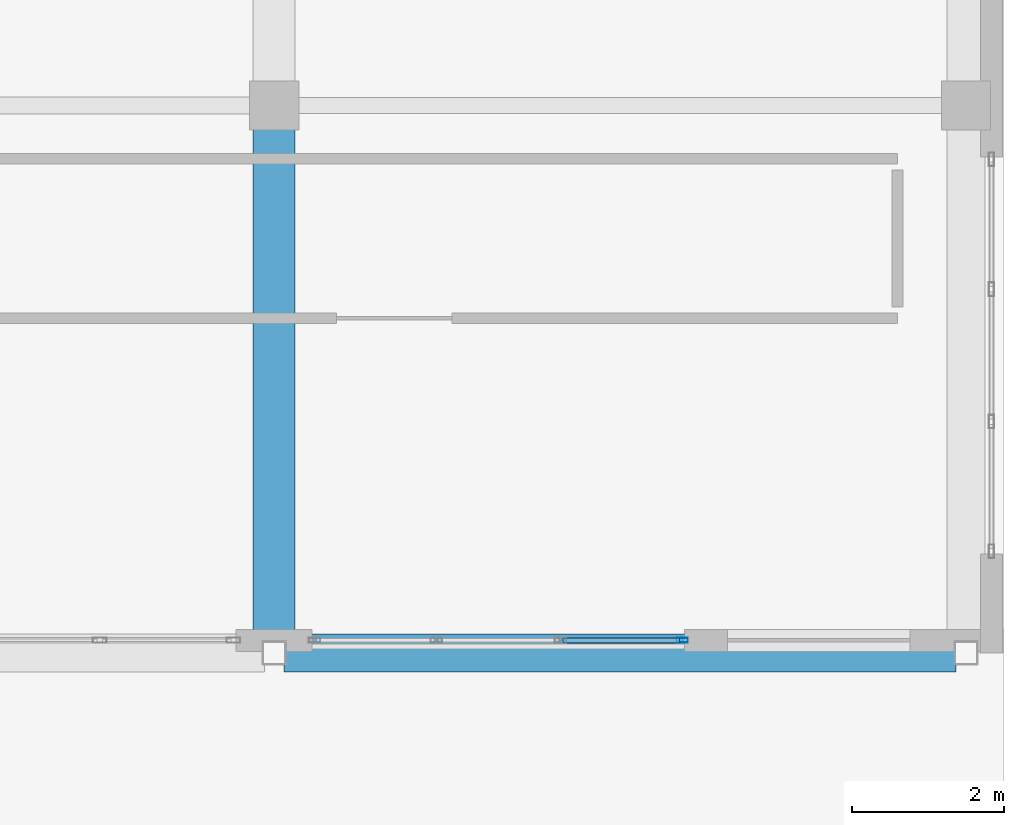
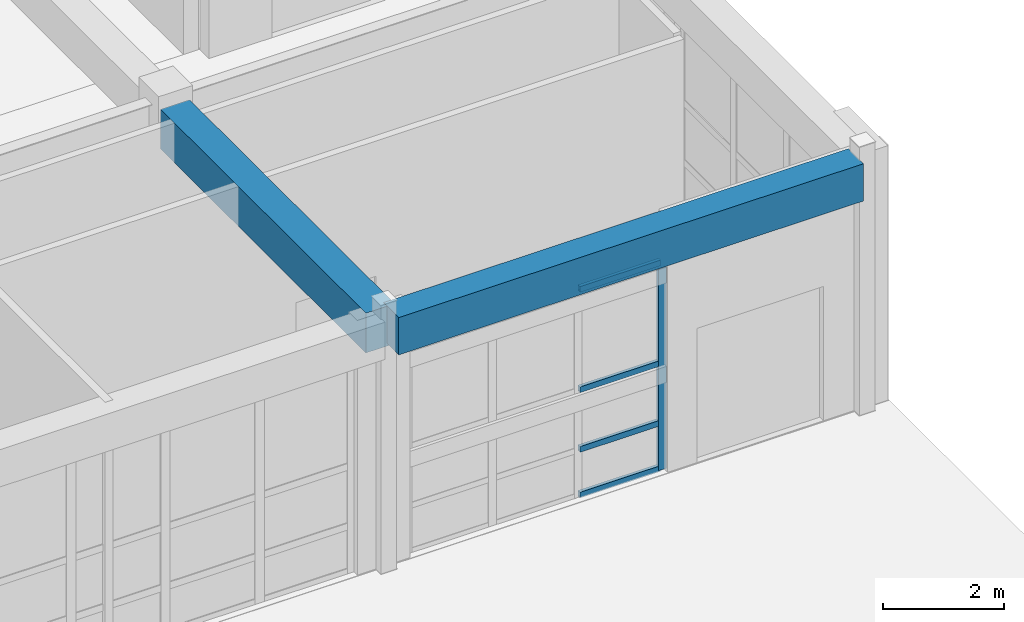
# One storey, part 99 of 148: 5 members, 2 beams, 1 element without a shape of its own.
"""IFC4 building model written with IfcOpenShell, lengths in metres."""

from ifc_helpers import new_model, si_unit, direction, frame, origin, origin_2d, place, context, subcontext, project, spatial, rectangle, hollow_rectangle, extrude, material, layer, layer_set, material_profile, profile_set, type_object, element, aggregate, save


model = new_model("IFC4")

# Units and contexts
model_context = context("Model", 3, precision=1e-05, world=origin(), true_north=direction((0.0, 1.0)))
body_context = subcontext(model_context, "Body", "Model", "MODEL_VIEW")
ifc_project = project(units=[si_unit("LENGTHUNIT", "METRE"), si_unit("AREAUNIT", "SQUARE_METRE"), si_unit("VOLUMEUNIT", "CUBIC_METRE"), si_unit("PLANEANGLEUNIT", "RADIAN"), si_unit("MASSUNIT", "GRAM", prefix="KILO")], contexts=[model_context])

# Site, building, storey
site_placement = place(None, origin())
site = spatial("IfcSite", under=ifc_project, at=site_placement, CompositionType="ELEMENT")
building_placement = place(site_placement, origin())
building = spatial("IfcBuilding", under=site, at=building_placement, Name="Quendrovan Civic Courthouse", CompositionType="ELEMENT")
storey_placement = place(building_placement, origin())
storey = spatial("IfcBuildingStorey", under=building, at=storey_placement, Name="L01", CompositionType="ELEMENT", Elevation=0.0)

# Beams
ifc_material_1 = material(Name="Concrete C40/50", Category="concrete")
ifc_material_profile_1 = material_profile(ifc_material_1, rectangle(XDim=0.5, YDim=0.75, at=origin_2d()), Name="RC-BM-500x750")
ifc_profile_set_1 = profile_set([ifc_material_profile_1], Name="Concrete C40/50")
beam_type_1 = type_object("IfcBeamType", Name="BM-RC750", PredefinedType="SPANDREL", material=ifc_profile_set_1)
beam_1_placement = place(storey_placement, frame((151.330078125, 87.60009765625, 4.7451171875), z_axis=(1.0, 0.0, 0.0), x_axis=(0.0, 1.0, 0.0)))
element("IfcBeam", 1, at=beam_1_placement, inside=storey, type_object=beam_type_1, Name="L01 Girder X0330", PredefinedType="SPANDREL", context=body_context, shape_type="SweptSolid", body=[
    extrude(rectangle(XDim=0.5, YDim=0.75, at=origin_2d()), origin(), (0.0, 0.0, 1.0), 8.83984375),
])
ifc_material_profile_2 = material_profile(ifc_material_1, rectangle(XDim=0.550048828125, YDim=0.800048828125, at=origin_2d()), Name="RC-BM-550x800")
ifc_profile_set_2 = profile_set([ifc_material_profile_2], Name="Concrete C40/50")
beam_type_2 = type_object("IfcBeamType", Name="BM-RC800", PredefinedType="BEAM", material=ifc_profile_set_2)
beam_2_placement = place(storey_placement, frame((151.199951171875, 87.72998046875, 4.719970703125), z_axis=(0.0, 1.0, 0.0), x_axis=(-1.0, 0.0, 0.0)))
element("IfcBeam", 2, at=beam_2_placement, inside=storey, type_object=beam_type_2, Name="L01 Girder Y0473", PredefinedType="BEAM", context=body_context, shape_type="SweptSolid", body=[
    extrude(rectangle(XDim=0.550048828125, YDim=0.800048828125, at=origin_2d()), origin(), (0.0, 0.0, 1.0), 6.76513671875),
])

# Curtain wall, members
ifc_material_2 = material(Name="Bronze anodised aluminium and low-E glass", Category="aluminium")
ifc_layer = layer(ifc_material_2, 0.179931640625, Name="Bronze anodised aluminium and low-E glass")
ifc_layer_set = layer_set([ifc_layer], Name="Bronze anodised aluminium and low-E glass")
curtain_wall_type = type_object("IfcCurtainWallType", Name="CW-U49x42", PredefinedType="USERDEFINED", material=ifc_layer_set)
curtain_wall_placement = place(storey_placement, origin())
curtain_wall = element("IfcCurtainWall", 3, at=curtain_wall_placement, inside=storey, type_object=curtain_wall_type, Name="L01 Unitised Hurricane Curtain Wall CW-043", ObjectType="UNITISED CURTAIN WALL", PredefinedType="USERDEFINED")
ifc_material_3 = material(Name="Bronze anodised aluminium", Category="aluminium")
ifc_material_profile_3 = material_profile(ifc_material_3, hollow_rectangle(XDim=0.06494140625, YDim=0.14990234375, WallThickness=0.00390625, at=origin_2d()), Name="CW-MULL-65x150")
ifc_profile_set_3 = profile_set([ifc_material_profile_3], Name="Bronze anodised aluminium")
member_type_1 = type_object("IfcMemberType", Name="CW-MULL-B", PredefinedType="MULLION", material=ifc_profile_set_3)
member_1_placement = place(storey_placement, frame((156.5673828125, 87.764892578125, 0.0), z_axis=(0.0, 0.0, 1.0), x_axis=(0.0, -1.0, 0.0)))
member_1 = element("IfcMember", 4, at=member_1_placement, type_object=member_type_1, Name="CW-043 mullion 1", PredefinedType="MULLION", context=body_context, shape_type="SweptSolid", body=[
    extrude(hollow_rectangle(XDim=0.06494140625, YDim=0.14990234375, WallThickness=0.00390625, at=origin_2d()), origin(), (0.0, 0.0, 1.0), 4.199951171875),
])
ifc_material_profile_4 = material_profile(ifc_material_3, hollow_rectangle(XDim=0.06494140625, YDim=0.114990234375, WallThickness=0.00390625, at=origin_2d()), Name="CW-TRAN-65x115")
ifc_profile_set_4 = profile_set([ifc_material_profile_4], Name="Bronze anodised aluminium")
member_type_2 = type_object("IfcMemberType", Name="CW-TRAN-B", PredefinedType="USERDEFINED", material=ifc_profile_set_4)
member_2_placement = place(storey_placement, frame((156.534912109375, 87.764892578125, 0.032470703125), z_axis=(-1.0, 0.0, 0.0), x_axis=(0.0, -1.0, 0.0)))
member_2 = element("IfcMember", 5, at=member_2_placement, type_object=member_type_2, Name="CW-043 transom 1.1", ObjectType="TRANSOM", PredefinedType="USERDEFINED", context=body_context, shape_type="SweptSolid", body=[
    extrude(hollow_rectangle(XDim=0.06494140625, YDim=0.114990234375, WallThickness=0.00390625, at=origin_2d()), origin(), (0.0, 0.0, 1.0), 1.53564453125),
])
member_3_placement = place(storey_placement, frame((156.534912109375, 87.764892578125, 0.949951171875), z_axis=(-1.0, 0.0, 0.0), x_axis=(0.0, -1.0, 0.0)))
member_3 = element("IfcMember", 6, at=member_3_placement, type_object=member_type_2, Name="CW-043 transom 1.2", ObjectType="TRANSOM", PredefinedType="USERDEFINED", context=body_context, shape_type="SweptSolid", body=[
    extrude(hollow_rectangle(XDim=0.06494140625, YDim=0.114990234375, WallThickness=0.00390625, at=origin_2d()), origin(), (0.0, 0.0, 1.0), 1.53564453125),
])
member_4_placement = place(storey_placement, frame((156.534912109375, 87.764892578125, 2.14990234375), z_axis=(-1.0, 0.0, 0.0), x_axis=(0.0, -1.0, 0.0)))
member_4 = element("IfcMember", 7, at=member_4_placement, type_object=member_type_2, Name="CW-043 transom 1.3", ObjectType="TRANSOM", PredefinedType="USERDEFINED", context=body_context, shape_type="SweptSolid", body=[
    extrude(hollow_rectangle(XDim=0.06494140625, YDim=0.114990234375, WallThickness=0.00390625, at=origin_2d()), origin(), (0.0, 0.0, 1.0), 1.53564453125),
])
member_5_placement = place(storey_placement, frame((156.534912109375, 87.764892578125, 4.16748046875), z_axis=(-1.0, 0.0, 0.0), x_axis=(0.0, -1.0, 0.0)))
member_5 = element("IfcMember", 8, at=member_5_placement, type_object=member_type_2, Name="CW-043 transom 1.4", ObjectType="TRANSOM", PredefinedType="USERDEFINED", context=body_context, shape_type="SweptSolid", body=[
    extrude(hollow_rectangle(XDim=0.06494140625, YDim=0.114990234375, WallThickness=0.00390625, at=origin_2d()), origin(), (0.0, 0.0, 1.0), 1.53564453125),
])
aggregate(curtain_wall, [member_1, member_2, member_3, member_4, member_5])

save(model, "model.ifc")
